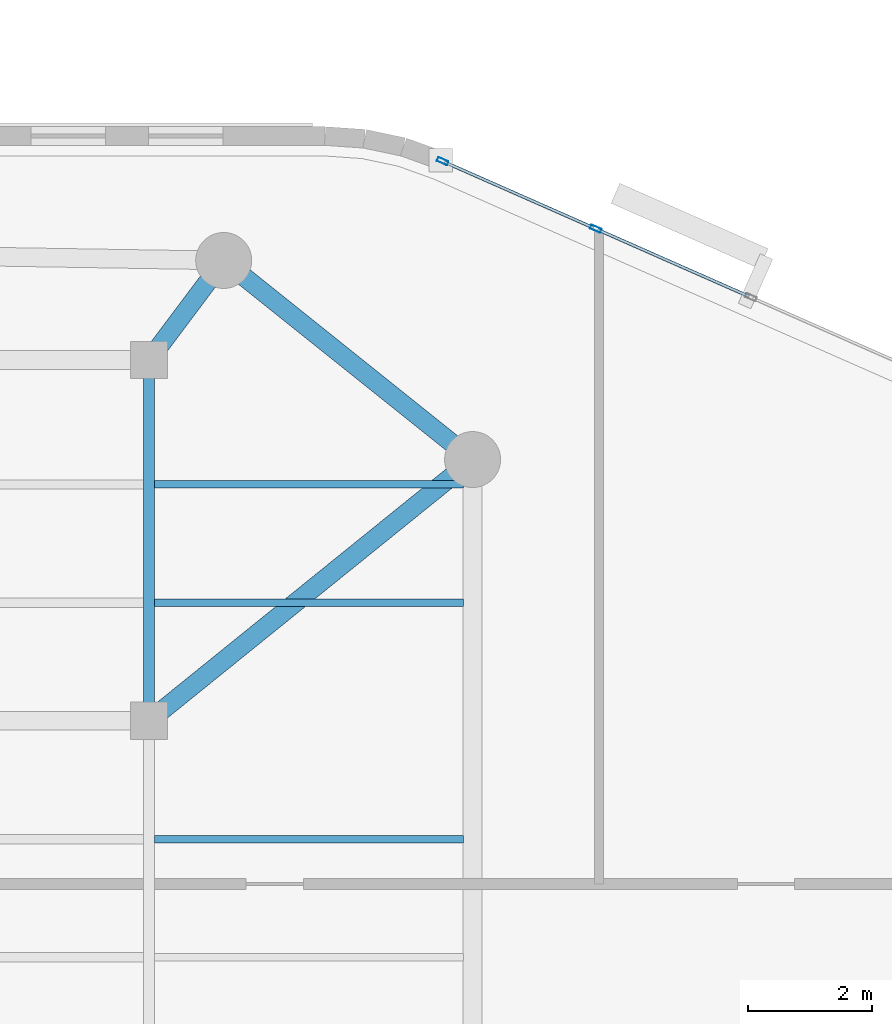
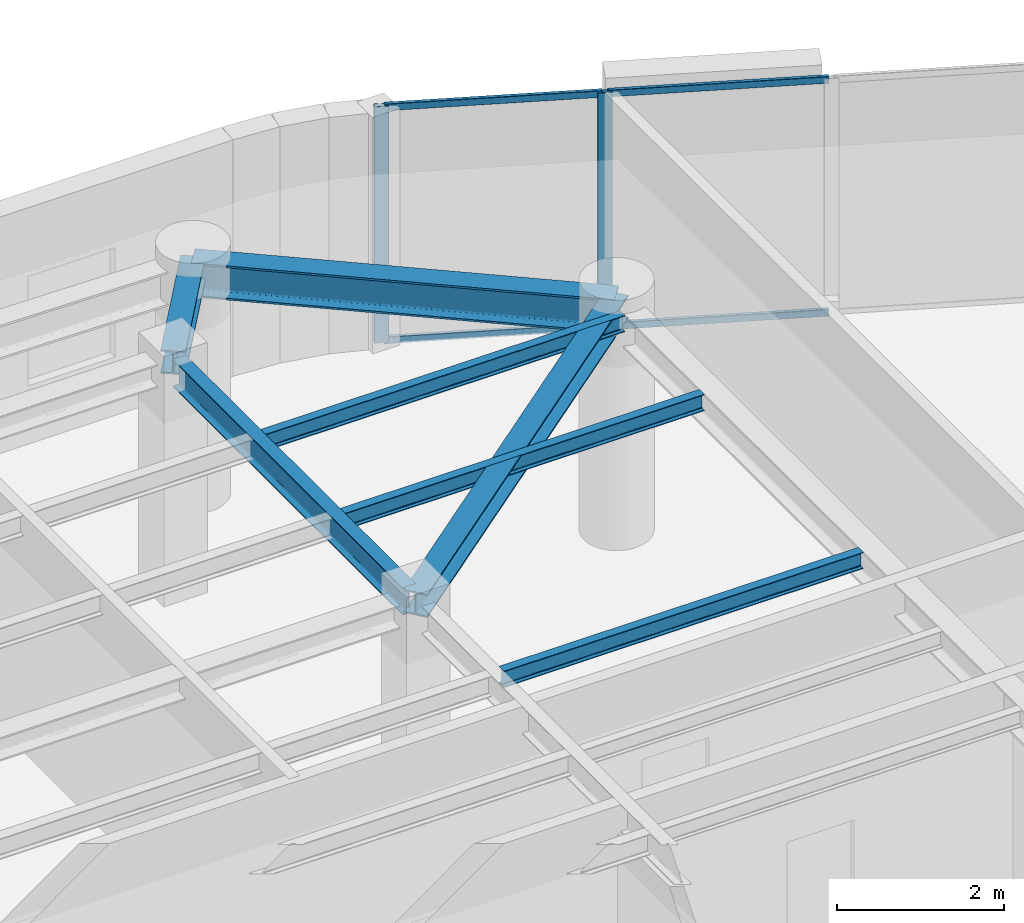
# One storey, part 5 of 14: 7 beams, 6 members, 1 element without a shape of its own.
"""IFC4 building model written with IfcOpenShell, lengths in metres."""

from ifc_helpers import new_model, si_unit, direction, frame, origin, origin_2d, place, context, subcontext, project, spatial, hollow_rectangle, i_section, extrude, material, layer, layer_set, material_profile, profile_set, type_object, element, aggregate, save


model = new_model("IFC4")

# Units and contexts
model_context = context("Model", 3, precision=1e-05, world=origin(), true_north=direction((0.0, 1.0)))
body_context = subcontext(model_context, "Body", "Model", "MODEL_VIEW")
ifc_project = project(units=[si_unit("LENGTHUNIT", "METRE"), si_unit("AREAUNIT", "SQUARE_METRE"), si_unit("VOLUMEUNIT", "CUBIC_METRE"), si_unit("PLANEANGLEUNIT", "RADIAN"), si_unit("MASSUNIT", "GRAM", prefix="KILO")], contexts=[model_context])

# Site, building, storey
site_placement = place(None, origin())
site = spatial("IfcSite", under=ifc_project, at=site_placement, CompositionType="ELEMENT")
building_placement = place(site_placement, origin())
building = spatial("IfcBuilding", under=site, at=building_placement, Name="An Khanh Terracotta Commons", CompositionType="ELEMENT")
storey_placement = place(building_placement, frame((0.0, 0.0, 284.35009765625)))
storey = spatial("IfcBuildingStorey", under=building, at=storey_placement, Name="L74", CompositionType="ELEMENT", Elevation=284.35009765625)

# Beams
ifc_material_1 = material(Name="Steel S355J2", Category="steel")
ifc_material_profile_1 = material_profile(ifc_material_1, i_section(OverallWidth=0.300048828125, OverallDepth=0.340087890625, WebThickness=0.011962890625, FlangeThickness=0.021484375, FilletRadius=0.027099609375, at=origin_2d()), Name="HEB340")
ifc_profile_set_1 = profile_set([ifc_material_profile_1], Name="Steel S355J2")
beam_type_1 = type_object("IfcBeamType", Name="BM-HEB340", PredefinedType="BEAM", material=ifc_profile_set_1)
beam_1_placement = place(storey_placement, frame((63.39990234375, 32.0, 3.27978515625), z_axis=(-0.777941866883, -0.628336256913, 0.0), x_axis=(0.628336256913, -0.777941866883, 0.0)))
element("IfcBeam", 1, at=beam_1_placement, inside=storey, type_object=beam_type_1, Name="L74 Mega-Column Tie Girder 4", PredefinedType="BEAM", context=body_context, shape_type="SweptSolid", body=[
    extrude(i_section(OverallWidth=0.300048828125, OverallDepth=0.340087890625, WebThickness=0.011962890625, FlangeThickness=0.021484375, FilletRadius=0.027099609375, at=origin_2d()), origin(), (0.0, 0.0, 1.0), 6.684326171875),
])
beam_2_placement = place(storey_placement, frame((59.39990234375, 35.199951171875, 3.27978515625), z_axis=(-0.600019532502, -0.799985350251, 0.0), x_axis=(0.799985350251, -0.600019532502, 0.0)))
element("IfcBeam", 2, at=beam_2_placement, inside=storey, type_object=beam_type_1, Name="L74 Mega-Column Tie Girder 5", PredefinedType="BEAM", context=body_context, shape_type="SweptSolid", body=[
    extrude(i_section(OverallWidth=0.300048828125, OverallDepth=0.340087890625, WebThickness=0.011962890625, FlangeThickness=0.021484375, FilletRadius=0.027099609375, at=origin_2d()), origin(), (0.0, 0.0, 1.0), 1.999755859375),
])
ifc_material_profile_2 = material_profile(ifc_material_1, i_section(OverallWidth=0.300048828125, OverallDepth=0.5, WebThickness=0.014404296875, FlangeThickness=0.028076171875, FilletRadius=0.027099609375, at=origin_2d()), Name="HEB500")
ifc_profile_set_2 = profile_set([ifc_material_profile_2], Name="Steel S355J2")
beam_type_2 = type_object("IfcBeamType", Name="BM-HEB500", PredefinedType="BEAM", material=ifc_profile_set_2)
beam_3_placement = place(storey_placement, frame((63.39990234375, 32.0, 3.199951171875), z_axis=(-0.780873459249, 0.624689235253, 0.0), x_axis=(-0.624689235253, -0.780873459249, 0.0)))
element("IfcBeam", 3, at=beam_3_placement, inside=storey, type_object=beam_type_2, Name="L74 Perimeter Ring Spandrel 4", PredefinedType="BEAM", context=body_context, shape_type="SweptSolid", body=[
    extrude(i_section(OverallWidth=0.300048828125, OverallDepth=0.5, WebThickness=0.014404296875, FlangeThickness=0.028076171875, FilletRadius=0.027099609375, at=origin_2d()), origin(), (0.0, 0.0, 1.0), 5.12255859375),
])
ifc_material_profile_3 = material_profile(ifc_material_1, i_section(OverallWidth=0.1201171875, OverallDepth=0.239990234375, WebThickness=0.006103515625, FlangeThickness=0.009765625, FilletRadius=0.014892578125, at=origin_2d()), Name="IPE240")
ifc_profile_set_3 = profile_set([ifc_material_profile_3], Name="Steel S355J2")
beam_type_3 = type_object("IfcBeamType", Name="BM-IPE240", PredefinedType="JOIST", material=ifc_profile_set_3)
for number, where, z_axis, x_axis, name in (
    (4, (58.2900390625, 25.89990234375, 3.329833984375), (1.0, 0.0, 0.0), (0.0, 1.0, 0.0), "L74 Riverfront Composite Joist 5"),
    (5, (58.2900390625, 29.699951171875, 3.329833984375), (1.0, 0.0, 0.0), (0.0, 1.0, 0.0), "L74 Riverfront Composite Joist 6"),
    (6, (58.2900390625, 31.60009765625, 3.329833984375), (1.0, 0.0, 0.0), (0.0, 1.0, 0.0), "L74 Riverfront Composite Joist 7"),
):
    element("IfcBeam", number, at=place(storey_placement, frame(where, z_axis=z_axis, x_axis=x_axis)), inside=storey, type_object=beam_type_3, Name=name, PredefinedType="JOIST", context=body_context, shape_type="SweptSolid", body=[
        extrude(i_section(OverallWidth=0.1201171875, OverallDepth=0.239990234375, WebThickness=0.006103515625, FlangeThickness=0.009765625, FilletRadius=0.014892578125, at=origin_2d()), origin(), (0.0, 0.0, 1.0), 4.9599609375),
    ])
ifc_material_profile_4 = material_profile(ifc_material_1, i_section(OverallWidth=0.179931640625, OverallDepth=0.39990234375, WebThickness=0.008544921875, FlangeThickness=0.013427734375, FilletRadius=0.02099609375, at=origin_2d()), Name="IPE400")
ifc_profile_set_4 = profile_set([ifc_material_profile_4], Name="Steel S355J2")
beam_type_4 = type_object("IfcBeamType", Name="BM-IPE400", PredefinedType="JOIST", material=ifc_profile_set_4)
beam_4_placement = place(storey_placement, frame((58.199951171875, 27.949951171875, 3.25), z_axis=(0.0, 1.0, 0.0), x_axis=(-1.0, 0.0, 0.0)))
element("IfcBeam", 7, at=beam_4_placement, inside=storey, type_object=beam_type_4, Name="L74 East Spine Girder 3", PredefinedType="JOIST", context=body_context, shape_type="SweptSolid", body=[
    extrude(i_section(OverallWidth=0.179931640625, OverallDepth=0.39990234375, WebThickness=0.008544921875, FlangeThickness=0.013427734375, FilletRadius=0.02099609375, at=origin_2d()), origin(), (0.0, 0.0, 1.0), 5.5),
])

# Curtain wall, members
ifc_material_2 = material(Name="Anodised Aluminium 6063-T6", Category="aluminium")
ifc_layer = layer(ifc_material_2, 0.2099609375, Name="Anodised Aluminium 6063-T6")
ifc_layer_set = layer_set([ifc_layer], Name="Anodised Aluminium 6063-T6")
curtain_wall_type = type_object("IfcCurtainWallType", Name="CW-SYS-03", PredefinedType="USERDEFINED", material=ifc_layer_set)
curtain_wall_placement = place(storey_placement, origin())
curtain_wall = element("IfcCurtainWall", 8, at=curtain_wall_placement, inside=storey, type_object=curtain_wall_type, Name="L74 CW-03 Unitised Curtain Wall CW-L74-16", ObjectType="UNITISED CURTAIN WALL", PredefinedType="USERDEFINED")
ifc_material_profile_5 = material_profile(ifc_material_2, hollow_rectangle(XDim=0.070068359375, YDim=0.179931640625, WallThickness=0.00390625, InnerFilletRadius=0.00390625, OuterFilletRadius=0.008056640625, at=origin_2d()), Name="RHS180x70x4")
ifc_profile_set_5 = profile_set([ifc_material_profile_5], Name="Anodised Aluminium 6063-T6")
member_type_1 = type_object("IfcMemberType", Name="CWM-RHS180x70x4", PredefinedType="MULLION", material=ifc_profile_set_5)
member_1_placement = place(storey_placement, frame((65.37939453125, 35.709228515625, 0.0), z_axis=(0.0, 0.0, 1.0), x_axis=(-0.403676354285, -0.914901853201, 0.0)))
member_1 = element("IfcMember", 9, at=member_1_placement, type_object=member_type_1, Name="CW-03 mullion 4", PredefinedType="MULLION", context=body_context, shape_type="SweptSolid", body=[
    extrude(hollow_rectangle(XDim=0.070068359375, YDim=0.179931640625, WallThickness=0.00390625, InnerFilletRadius=0.00390625, OuterFilletRadius=0.008056640625, at=origin_2d()), origin(), (0.0, 0.0, 1.0), 3.449951171875),
])
member_2_placement = place(storey_placement, frame((62.9189453125, 36.794921875, 0.0), z_axis=(0.0, 0.0, 1.0), x_axis=(-0.403676354285, -0.914901853201, 0.0)))
member_2 = element("IfcMember", 10, at=member_2_placement, type_object=member_type_1, Name="CW-03 mullion 5", PredefinedType="MULLION", context=body_context, shape_type="SweptSolid", body=[
    extrude(hollow_rectangle(XDim=0.070068359375, YDim=0.179931640625, WallThickness=0.00390625, InnerFilletRadius=0.00390625, OuterFilletRadius=0.008056640625, at=origin_2d()), origin(), (0.0, 0.0, 1.0), 3.449951171875),
])
ifc_material_profile_6 = material_profile(ifc_material_2, hollow_rectangle(XDim=0.050048828125, YDim=0.10009765625, WallThickness=0.003173828125, InnerFilletRadius=0.003173828125, OuterFilletRadius=0.00634765625, at=origin_2d()), Name="RHS100x50x3.2")
ifc_profile_set_6 = profile_set([ifc_material_profile_6], Name="Anodised Aluminium 6063-T6")
member_type_2 = type_object("IfcMemberType", Name="CWT-RHS100x50x3.2", PredefinedType="USERDEFINED", material=ifc_profile_set_6)
member_3_placement = place(storey_placement, frame((67.840087890625, 34.62353515625, 0.02490234375), z_axis=(-0.914896820753, 0.403687759755, 0.0), x_axis=(-0.403687759755, -0.914896820753, 0.0)))
member_3 = element("IfcMember", 11, at=member_3_placement, type_object=member_type_2, Name="CW-03 transom 3.1", ObjectType="TRANSOM", PredefinedType="USERDEFINED", context=body_context, shape_type="SweptSolid", body=[
    extrude(hollow_rectangle(XDim=0.050048828125, YDim=0.10009765625, WallThickness=0.003173828125, InnerFilletRadius=0.003173828125, OuterFilletRadius=0.00634765625, at=origin_2d()), origin(), (0.0, 0.0, 1.0), 2.654296875),
])
member_4_placement = place(storey_placement, frame((67.840087890625, 34.62353515625, 3.4248046875), z_axis=(-0.914896820753, 0.403687759755, 0.0), x_axis=(-0.403687759755, -0.914896820753, 0.0)))
member_4 = element("IfcMember", 12, at=member_4_placement, type_object=member_type_2, Name="CW-03 transom 3.2", ObjectType="TRANSOM", PredefinedType="USERDEFINED", context=body_context, shape_type="SweptSolid", body=[
    extrude(hollow_rectangle(XDim=0.050048828125, YDim=0.10009765625, WallThickness=0.003173828125, InnerFilletRadius=0.003173828125, OuterFilletRadius=0.00634765625, at=origin_2d()), origin(), (0.0, 0.0, 1.0), 2.654296875),
])
member_5_placement = place(storey_placement, frame((65.347412109375, 35.723388671875, 0.02490234375), z_axis=(-0.914903627858, 0.403672332137, 0.0), x_axis=(-0.403672332137, -0.914903627858, 0.0)))
member_5 = element("IfcMember", 13, at=member_5_placement, type_object=member_type_2, Name="CW-03 transom 4.1", ObjectType="TRANSOM", PredefinedType="USERDEFINED", context=body_context, shape_type="SweptSolid", body=[
    extrude(hollow_rectangle(XDim=0.050048828125, YDim=0.10009765625, WallThickness=0.003173828125, InnerFilletRadius=0.003173828125, OuterFilletRadius=0.00634765625, at=origin_2d()), origin(), (0.0, 0.0, 1.0), 2.619384765625),
])
member_6_placement = place(storey_placement, frame((65.347412109375, 35.723388671875, 3.4248046875), z_axis=(-0.914903627858, 0.403672332137, 0.0), x_axis=(-0.403672332137, -0.914903627858, 0.0)))
member_6 = element("IfcMember", 14, at=member_6_placement, type_object=member_type_2, Name="CW-03 transom 4.2", ObjectType="TRANSOM", PredefinedType="USERDEFINED", context=body_context, shape_type="SweptSolid", body=[
    extrude(hollow_rectangle(XDim=0.050048828125, YDim=0.10009765625, WallThickness=0.003173828125, InnerFilletRadius=0.003173828125, OuterFilletRadius=0.00634765625, at=origin_2d()), origin(), (0.0, 0.0, 1.0), 2.619384765625),
])
aggregate(curtain_wall, [member_1, member_2, member_3, member_4, member_5, member_6])

save(model, "model.ifc")
